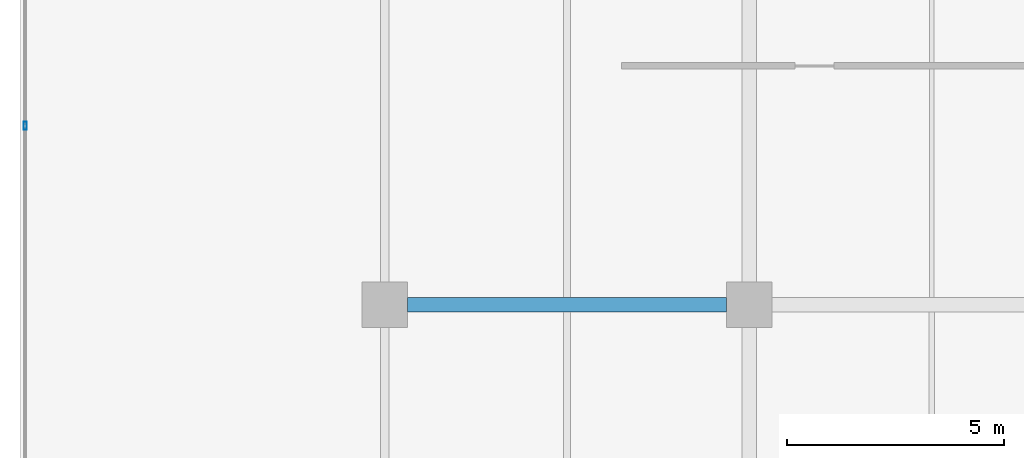
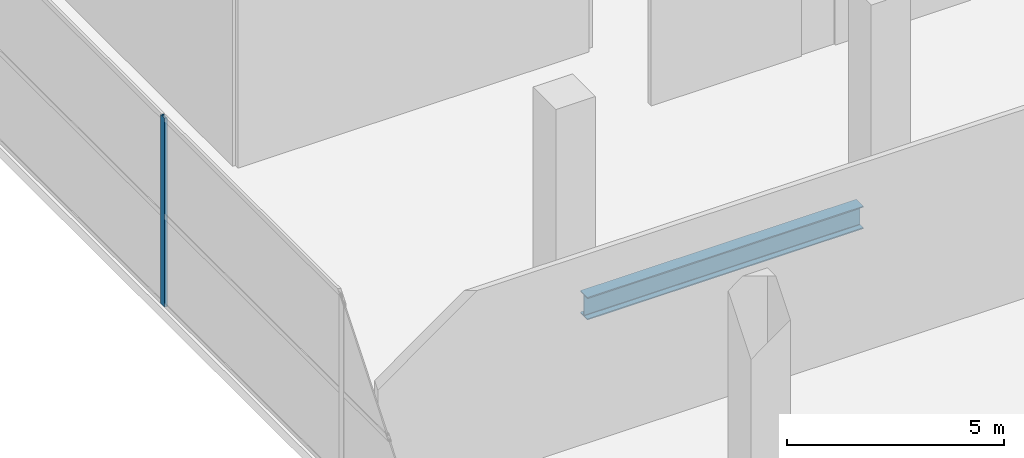
# One storey, part 11 of 40: 1 beam, 1 member, 1 element without a shape of its own.
"""IFC4 building model written with IfcOpenShell, lengths in metres."""

from ifc_helpers import new_model, si_unit, direction, frame, origin, origin_2d, place, context, subcontext, project, spatial, hollow_rectangle, i_section, extrude, material, layer, layer_set, material_profile, profile_set, type_object, element, aggregate, save


model = new_model("IFC4")

# Units and contexts
model_context = context("Model", 3, precision=1e-05, world=origin(), true_north=direction((0.0, 1.0)))
body_context = subcontext(model_context, "Body", "Model", "MODEL_VIEW")
ifc_project = project(units=[si_unit("LENGTHUNIT", "METRE"), si_unit("AREAUNIT", "SQUARE_METRE"), si_unit("VOLUMEUNIT", "CUBIC_METRE"), si_unit("PLANEANGLEUNIT", "RADIAN"), si_unit("MASSUNIT", "GRAM", prefix="KILO")], contexts=[model_context])

# Site, building, storey
site_placement = place(None, origin())
site = spatial("IfcSite", under=ifc_project, at=site_placement, CompositionType="ELEMENT")
building_placement = place(site_placement, origin())
building = spatial("IfcBuilding", under=site, at=building_placement, Name="Maruvema Waterfront Hotel and Observation Tower", CompositionType="ELEMENT")
storey_placement = place(building_placement, frame((0.0, 0.0, 10.85009765625)))
storey = spatial("IfcBuildingStorey", under=building, at=storey_placement, Name="L02", CompositionType="ELEMENT", Elevation=10.85009765625)

# Curtain wall, member
ifc_material_1 = material(Name="Anodised bronze aluminium and solar-control low-E IGU", Category="aluminium")
ifc_layer = layer(ifc_material_1, 0.159912109375, Name="Podium Waterfront Storefront Curtain Wall System CW-01")
ifc_layer_set = layer_set([ifc_layer], Name="Anodised bronze aluminium and solar-control low-E IGU")
curtain_wall_type = type_object("IfcCurtainWallType", Name="Podium Waterfront Storefront Curtain Wall System CW-01", PredefinedType="USERDEFINED", material=ifc_layer_set)
curtain_wall_placement = place(storey_placement, origin())
curtain_wall = element("IfcCurtainWall", 1, at=curtain_wall_placement, inside=storey, type_object=curtain_wall_type, Name="L02 Curtain Wall CW-L02-W", ObjectType="UNITISED CURTAIN WALL", PredefinedType="USERDEFINED")
ifc_material_2 = material(Name="Anodised architectural bronze aluminium", Category="aluminium")
ifc_material_profile_1 = material_profile(ifc_material_2, hollow_rectangle(XDim=0.070068359375, YDim=0.18994140625, WallThickness=0.00390625, at=origin_2d()), Name="ALU-M70x190")
ifc_profile_set_1 = profile_set([ifc_material_profile_1], Name="Anodised architectural bronze aluminium")
member_type = type_object("IfcMemberType", Name="Podium Storefront Heavy Mullion ALU-M70x190", PredefinedType="MULLION", material=ifc_profile_set_1)
member_placement = place(storey_placement, frame((0.1201171875, 31.1201171875, 0.0), z_axis=(0.0, 0.0, 1.0), x_axis=(1.0, 0.0, 0.0)))
member = element("IfcMember", 2, at=member_placement, type_object=member_type, Name="CW-01 mullion 3", PredefinedType="MULLION", context=body_context, shape_type="SweptSolid", body=[
    extrude(hollow_rectangle(XDim=0.070068359375, YDim=0.18994140625, WallThickness=0.00390625, at=origin_2d()), origin(), (0.0, 0.0, 1.0), 5.31982421875),
])
aggregate(curtain_wall, [member])

# Beam
ifc_material_3 = material(Name="Steel ASTM A572 Grade 50", Category="steel")
ifc_material_profile_2 = material_profile(ifc_material_3, i_section(OverallWidth=0.3291015625, OverallDepth=0.635009765625, WebThickness=0.017822265625, FlangeThickness=0.031005859375, FilletRadius=0.01806640625, at=origin_2d()), Name="W610x241.0")
ifc_profile_set_2 = profile_set([ifc_material_profile_2], Name="Steel ASTM A572 Grade 50")
beam_type = type_object("IfcBeamType", Name="Primary Floor Girder W610x241.0", PredefinedType="BEAM", material=ifc_profile_set_2)
beam_placement = place(storey_placement, frame((8.925048828125, 27.0, -0.59765625), z_axis=(1.0, 0.0, 0.0), x_axis=(0.0, 1.0, 0.0)))
element("IfcBeam", 3, at=beam_placement, inside=storey, type_object=beam_type, Name="L02 Floor Girder EW-20", PredefinedType="BEAM", context=body_context, shape_type="SweptSolid", body=[
    extrude(i_section(OverallWidth=0.3291015625, OverallDepth=0.635009765625, WebThickness=0.017822265625, FlangeThickness=0.031005859375, FilletRadius=0.01806640625, at=origin_2d()), origin(), (0.0, 0.0, 1.0), 7.349853515625),
])

save(model, "model.ifc")
